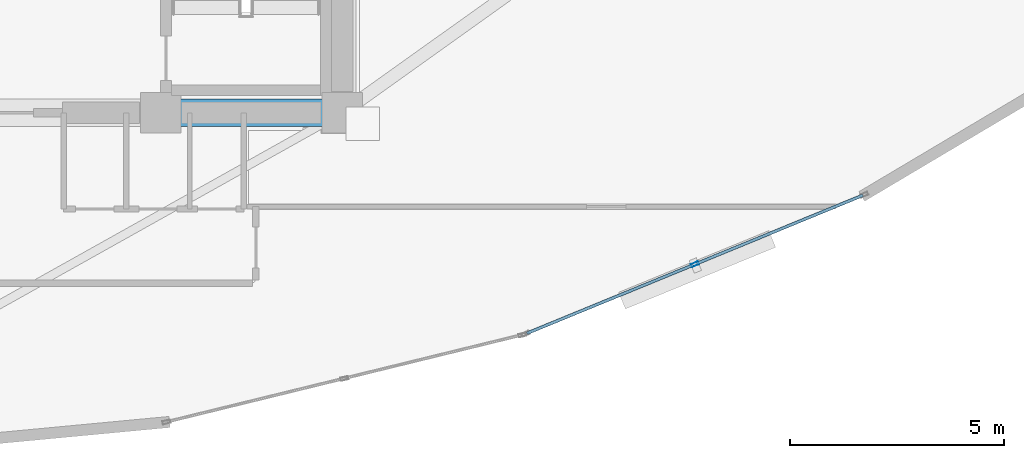
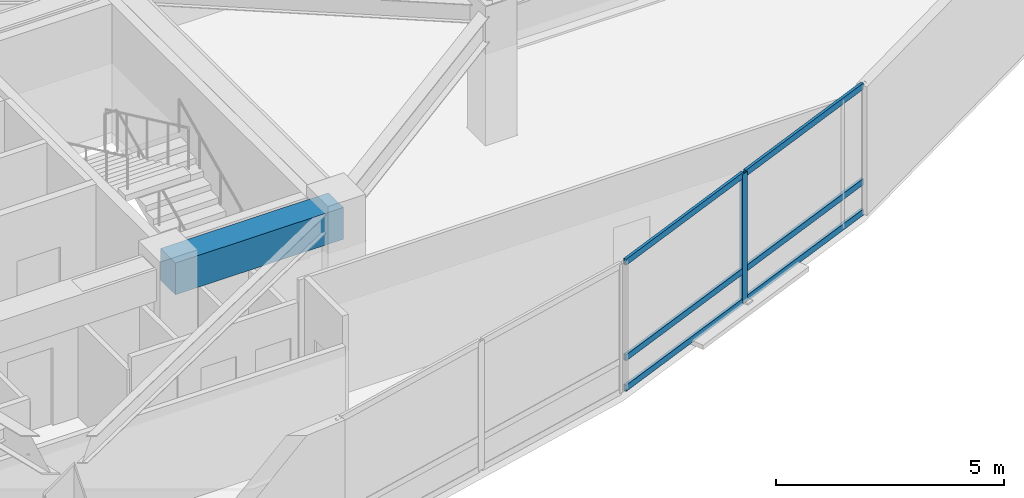
# One storey, part 6 of 17: 7 members, 1 beam, 1 element without a shape of its own.
"""IFC4 building model written with IfcOpenShell, lengths in metres."""

from ifc_helpers import new_model, si_unit, direction, frame, origin, origin_2d, place, context, subcontext, project, spatial, rectangle, hollow_rectangle, extrude, material, layer, layer_set, material_profile, profile_set, type_object, element, aggregate, save


model = new_model("IFC4")

# Units and contexts
model_context = context("Model", 3, precision=1e-05, world=origin(), true_north=direction((0.0, 1.0)))
body_context = subcontext(model_context, "Body", "Model", "MODEL_VIEW")
ifc_project = project(units=[si_unit("LENGTHUNIT", "METRE"), si_unit("AREAUNIT", "SQUARE_METRE"), si_unit("VOLUMEUNIT", "CUBIC_METRE"), si_unit("PLANEANGLEUNIT", "RADIAN"), si_unit("MASSUNIT", "GRAM", prefix="KILO")], contexts=[model_context])

# Site, building, storey
site_placement = place(None, origin())
site = spatial("IfcSite", under=ifc_project, at=site_placement, CompositionType="ELEMENT")
building_placement = place(site_placement, origin())
building = spatial("IfcBuilding", under=site, at=building_placement, Name="Menara Vayukalpa", CompositionType="ELEMENT")
storey_placement = place(building_placement, frame((0.0, 0.0, 234.419921875)))
storey = spatial("IfcBuildingStorey", under=building, at=storey_placement, Name="L59", CompositionType="ELEMENT", Elevation=234.419921875)

# Beam
ifc_material_1 = material(Name="Concrete C60/75", Category="concrete")
ifc_material_profile_1 = material_profile(ifc_material_1, rectangle(XDim=0.64990234375, YDim=0.85009765625, at=origin_2d()), Name="RC 650x850")
ifc_profile_set_1 = profile_set([ifc_material_profile_1], Name="Concrete C60/75")
beam_type = type_object("IfcBeamType", Name="BM-CB1", PredefinedType="BEAM", material=ifc_profile_set_1)
beam_placement = place(storey_placement, frame((29.14990234375, 17.199951171875, 3.01513671875), z_axis=(1.0, 0.0, 0.0), x_axis=(0.0, 1.0, 0.0)))
element("IfcBeam", 1, at=beam_placement, inside=storey, type_object=beam_type, Name="L59 Core Tie Beam CBR3", PredefinedType="BEAM", context=body_context, shape_type="SweptSolid", body=[
    extrude(rectangle(XDim=0.64990234375, YDim=0.85009765625, at=origin_2d()), origin(), (0.0, 0.0, 1.0), 4.25),
])

# Curtain wall, members
ifc_material_2 = material(Name="Anodised Terracotta Aluminium Alloy 6063-T6", Category="masonry")
ifc_layer = layer(ifc_material_2, 0.179931640625)
ifc_layer_set = layer_set([ifc_layer], Name="Anodised Terracotta Aluminium Alloy 6063-T6")
curtain_wall_type = type_object("IfcCurtainWallType", Name="CW-CW4", PredefinedType="USERDEFINED", material=ifc_layer_set)
curtain_wall_placement = place(storey_placement, origin())
curtain_wall = element("IfcCurtainWall", 2, at=curtain_wall_placement, inside=storey, type_object=curtain_wall_type, Name="L59 Sky Bar Cantilever Glazed Curtain Wall CW4 17", ObjectType="UNITISED", PredefinedType="USERDEFINED")
ifc_material_3 = material(Name="Anodised Terracotta Aluminium Alloy 6063-T6", Category="masonry")
ifc_material_profile_2 = material_profile(ifc_material_3, hollow_rectangle(XDim=0.074951171875, YDim=0.179931640625, WallThickness=0.00390625, at=origin_2d()), Name="ALU 75x180x4")
ifc_profile_set_2 = profile_set([ifc_material_profile_2], Name="Anodised Terracotta Aluminium Alloy 6063-T6")
member_type_1 = type_object("IfcMemberType", Name="CWM-CW4", PredefinedType="MULLION", material=ifc_profile_set_2)
member_1_placement = place(storey_placement, frame((41.658203125, 13.65234375, 0.0), z_axis=(0.0, 0.0, 1.0), x_axis=(-0.380039448491, 0.924970279301, 0.0)))
member_1 = element("IfcMember", 3, at=member_1_placement, type_object=member_type_1, Name="CW4 mullion 2", PredefinedType="MULLION", context=body_context, shape_type="SweptSolid", body=[
    extrude(hollow_rectangle(XDim=0.074951171875, YDim=0.179931640625, WallThickness=0.00390625, at=origin_2d()), origin(), (0.0, 0.0, 1.0), 3.440185546875),
])
ifc_material_4 = material(Name="Anodised Terracotta Aluminium Alloy 6063-T6", Category="masonry")
ifc_material_profile_3 = material_profile(ifc_material_4, hollow_rectangle(XDim=0.070068359375, YDim=0.1650390625, WallThickness=0.00390625, at=origin_2d()), Name="ALU 70x165x4")
ifc_profile_set_3 = profile_set([ifc_material_profile_3], Name="Anodised Terracotta Aluminium Alloy 6063-T6")
member_type_2 = type_object("IfcMemberType", Name="CWT-CW4", PredefinedType="USERDEFINED", material=ifc_profile_set_3)
member_2_placement = place(storey_placement, frame((37.725341796875, 12.03662109375, 0.03515625), z_axis=(0.924976550219, 0.380024185473, 0.0), x_axis=(-0.380024185473, 0.924976550219, 0.0)))
member_2 = element("IfcMember", 4, at=member_2_placement, type_object=member_type_2, Name="CW4 transom 1.1", ObjectType="TRANSOM", PredefinedType="USERDEFINED", context=body_context, shape_type="SweptSolid", body=[
    extrude(hollow_rectangle(XDim=0.070068359375, YDim=0.1650390625, WallThickness=0.00390625, at=origin_2d()), origin(), (0.0, 0.0, 1.0), 4.21435546875),
])
member_3_placement = place(storey_placement, frame((37.725341796875, 12.03662109375, 0.85009765625), z_axis=(0.924976550219, 0.380024185473, 0.0), x_axis=(-0.380024185473, 0.924976550219, 0.0)))
member_3 = element("IfcMember", 5, at=member_3_placement, type_object=member_type_2, Name="CW4 transom 1.2", ObjectType="TRANSOM", PredefinedType="USERDEFINED", context=body_context, shape_type="SweptSolid", body=[
    extrude(hollow_rectangle(XDim=0.070068359375, YDim=0.1650390625, WallThickness=0.00390625, at=origin_2d()), origin(), (0.0, 0.0, 1.0), 4.21435546875),
])
member_4_placement = place(storey_placement, frame((37.725341796875, 12.03662109375, 3.405029296875), z_axis=(0.924976550219, 0.380024185473, 0.0), x_axis=(-0.380024185473, 0.924976550219, 0.0)))
member_4 = element("IfcMember", 6, at=member_4_placement, type_object=member_type_2, Name="CW4 transom 1.3", ObjectType="TRANSOM", PredefinedType="USERDEFINED", context=body_context, shape_type="SweptSolid", body=[
    extrude(hollow_rectangle(XDim=0.070068359375, YDim=0.1650390625, WallThickness=0.00390625, at=origin_2d()), origin(), (0.0, 0.0, 1.0), 4.21435546875),
])
member_5_placement = place(storey_placement, frame((41.69287109375, 13.66650390625, 0.03515625), z_axis=(0.924947817082, 0.380094114235, 0.0), x_axis=(-0.380094114235, 0.924947817082, 0.0)))
member_5 = element("IfcMember", 7, at=member_5_placement, type_object=member_type_2, Name="CW4 transom 2.1", ObjectType="TRANSOM", PredefinedType="USERDEFINED", context=body_context, shape_type="SweptSolid", body=[
    extrude(hollow_rectangle(XDim=0.070068359375, YDim=0.1650390625, WallThickness=0.00390625, at=origin_2d()), origin(), (0.0, 0.0, 1.0), 4.21435546875),
])
member_6_placement = place(storey_placement, frame((41.69287109375, 13.66650390625, 0.85009765625), z_axis=(0.924947817082, 0.380094114235, 0.0), x_axis=(-0.380094114235, 0.924947817082, 0.0)))
member_6 = element("IfcMember", 8, at=member_6_placement, type_object=member_type_2, Name="CW4 transom 2.2", ObjectType="TRANSOM", PredefinedType="USERDEFINED", context=body_context, shape_type="SweptSolid", body=[
    extrude(hollow_rectangle(XDim=0.070068359375, YDim=0.1650390625, WallThickness=0.00390625, at=origin_2d()), origin(), (0.0, 0.0, 1.0), 4.21435546875),
])
member_7_placement = place(storey_placement, frame((41.69287109375, 13.66650390625, 3.405029296875), z_axis=(0.924947817082, 0.380094114235, 0.0), x_axis=(-0.380094114235, 0.924947817082, 0.0)))
member_7 = element("IfcMember", 9, at=member_7_placement, type_object=member_type_2, Name="CW4 transom 2.3", ObjectType="TRANSOM", PredefinedType="USERDEFINED", context=body_context, shape_type="SweptSolid", body=[
    extrude(hollow_rectangle(XDim=0.070068359375, YDim=0.1650390625, WallThickness=0.00390625, at=origin_2d()), origin(), (0.0, 0.0, 1.0), 4.21435546875),
])
aggregate(curtain_wall, [member_1, member_2, member_3, member_4, member_5, member_6, member_7])

save(model, "model.ifc")
